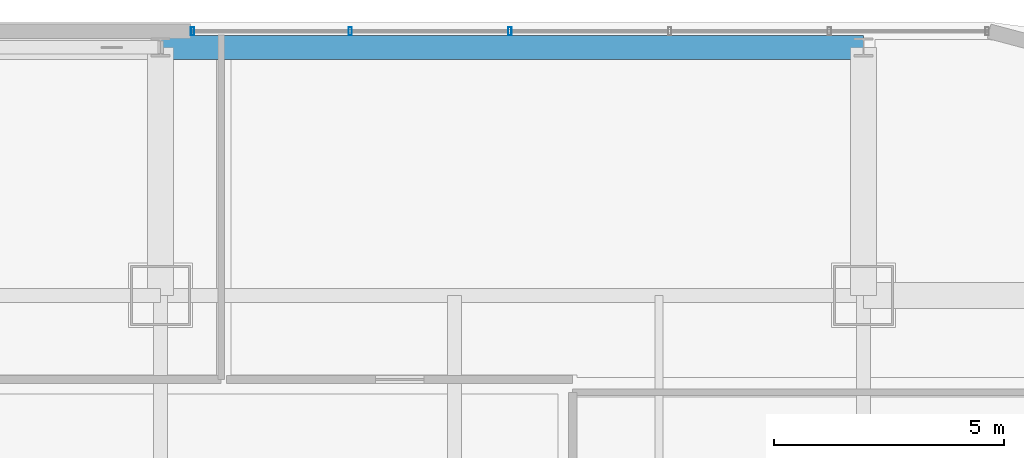
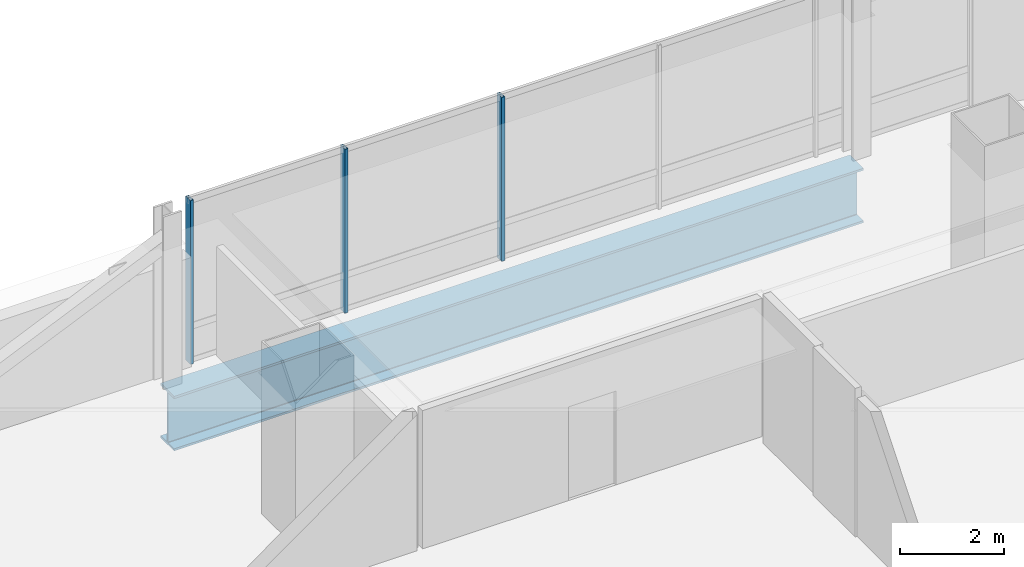
# One storey, part 24 of 44: 3 members, 1 beam, 1 element without a shape of its own.
"""IFC4 building model written with IfcOpenShell, lengths in metres."""

from ifc_helpers import new_model, si_unit, direction, frame, origin, origin_2d, place, context, subcontext, project, spatial, hollow_rectangle, i_section, extrude, material, material_profile, profile_set, type_object, element, aggregate, save


model = new_model("IFC4")

# Units and contexts
model_context = context("Model", 3, precision=1e-05, world=origin(), true_north=direction((0.0, 1.0)))
body_context = subcontext(model_context, "Body", "Model", "MODEL_VIEW")
ifc_project = project(units=[si_unit("LENGTHUNIT", "METRE"), si_unit("AREAUNIT", "SQUARE_METRE"), si_unit("VOLUMEUNIT", "CUBIC_METRE"), si_unit("PLANEANGLEUNIT", "RADIAN"), si_unit("MASSUNIT", "GRAM", prefix="KILO")], contexts=[model_context])

# Site, building, storey
site_placement = place(None, origin())
site = spatial("IfcSite", under=ifc_project, at=site_placement, CompositionType="ELEMENT")
building_placement = place(site_placement, origin())
building = spatial("IfcBuilding", under=site, at=building_placement, Name="Punatoya Terracotta Tower", CompositionType="ELEMENT")
storey_placement = place(building_placement, frame((0.0, 0.0, 267.60009765625)))
storey = spatial("IfcBuildingStorey", under=building, at=storey_placement, Name="L63", CompositionType="ELEMENT", Elevation=267.60009765625)

# Beam
ifc_material_1 = material(Name="Steel S460", Category="steel")
ifc_material_profile_1 = material_profile(ifc_material_1, i_section(OverallWidth=0.52001953125, OverallDepth=1.280029296875, WebThickness=0.031982421875, FlangeThickness=0.050048828125, FilletRadius=0.01806640625, at=origin_2d()))
ifc_profile_set_1 = profile_set([ifc_material_profile_1], Name="Steel S460")
beam_type = type_object("IfcBeamType", Name="BM-TG-NCK", PredefinedType="BEAM", material=ifc_profile_set_1)
beam_placement = place(storey_placement, frame((3.800048828125, 22.89990234375, -0.840087890625), z_axis=(1.0, 0.0, 0.0), x_axis=(0.0, 1.0, 0.0)))
element("IfcBeam", 1, at=beam_placement, inside=storey, type_object=beam_type, Name="BM-L63-PER-N3", PredefinedType="BEAM", context=body_context, shape_type="SweptSolid", body=[
    extrude(i_section(OverallWidth=0.52001953125, OverallDepth=1.280029296875, WebThickness=0.031982421875, FlangeThickness=0.050048828125, FilletRadius=0.01806640625, at=origin_2d()), origin(), (0.0, 0.0, 1.0), 15.300048828125),
])

# Curtain wall, members
ifc_material_2 = material(Name="Aluminium 6063-T6 + Double Low-E Glass", Category="aluminium")
curtain_wall_type = type_object("IfcCurtainWallType", Name="CW-M3", PredefinedType="NOTDEFINED", material=ifc_material_2)
curtain_wall_placement = place(storey_placement, origin())
curtain_wall = element("IfcCurtainWall", 2, at=curtain_wall_placement, inside=storey, type_object=curtain_wall_type, Name="L63 Curtain Wall CW-L63-N09-1", PredefinedType="NOTDEFINED")
ifc_material_3 = material(Name="Aluminium 6063-T6", Category="aluminium")
ifc_material_profile_2 = material_profile(ifc_material_3, hollow_rectangle(XDim=0.070068359375, YDim=0.179931640625, WallThickness=0.00390625, at=origin_2d()))
ifc_profile_set_2 = profile_set([ifc_material_profile_2], Name="Aluminium 6063-T6")
member_type = type_object("IfcMemberType", Name="CW-MUL-M3", PredefinedType="MULLION", material=ifc_profile_set_2)
member_1_placement = place(storey_placement, frame((11.40478515625, 23.25, 0.0), z_axis=(0.0, 0.0, 1.0), x_axis=(1.0, 0.0, 0.0)))
member_1 = element("IfcMember", 3, at=member_1_placement, type_object=member_type, Name="CW-L63-N09-1 Mullion 03", PredefinedType="MULLION", context=body_context, shape_type="SweptSolid", body=[
    extrude(hollow_rectangle(XDim=0.070068359375, YDim=0.179931640625, WallThickness=0.00390625, at=origin_2d()), origin(), (0.0, 0.0, 1.0), 3.849853515625),
])
member_2_placement = place(storey_placement, frame((7.927490234375, 23.25, 0.0), z_axis=(0.0, 0.0, 1.0), x_axis=(1.0, 0.0, 0.0)))
member_2 = element("IfcMember", 4, at=member_2_placement, type_object=member_type, Name="CW-L63-N09-1 Mullion 04", PredefinedType="MULLION", context=body_context, shape_type="SweptSolid", body=[
    extrude(hollow_rectangle(XDim=0.070068359375, YDim=0.179931640625, WallThickness=0.00390625, at=origin_2d()), origin(), (0.0, 0.0, 1.0), 3.849853515625),
])
member_3_placement = place(storey_placement, frame((4.4951171875, 23.25, 0.0), z_axis=(0.0, 0.0, 1.0), x_axis=(1.0, 0.0, 0.0)))
member_3 = element("IfcMember", 5, at=member_3_placement, type_object=member_type, Name="CW-L63-N09-1 Mullion 05", PredefinedType="MULLION", context=body_context, shape_type="SweptSolid", body=[
    extrude(hollow_rectangle(XDim=0.070068359375, YDim=0.179931640625, WallThickness=0.00390625, at=origin_2d()), origin(), (0.0, 0.0, 1.0), 3.849853515625),
])
aggregate(curtain_wall, [member_1, member_2, member_3])

save(model, "model.ifc")
